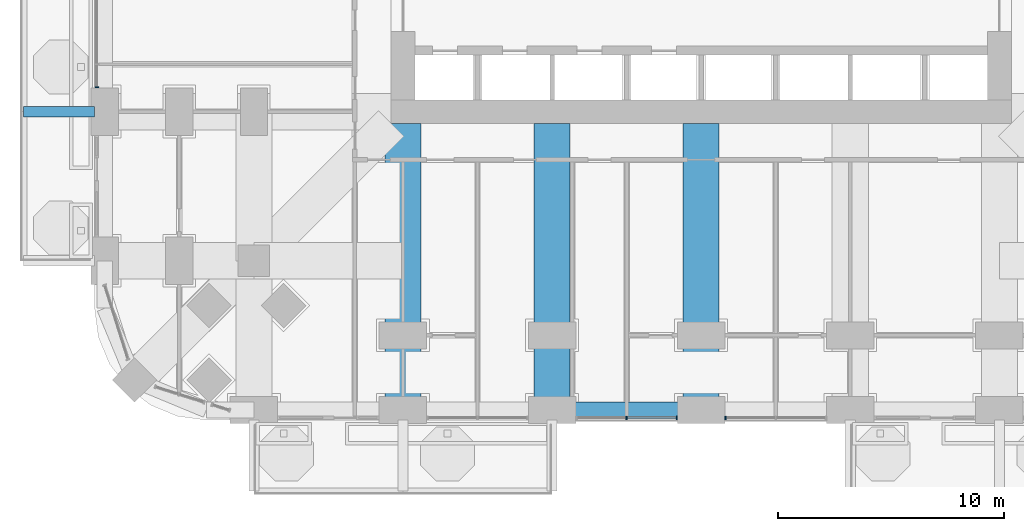
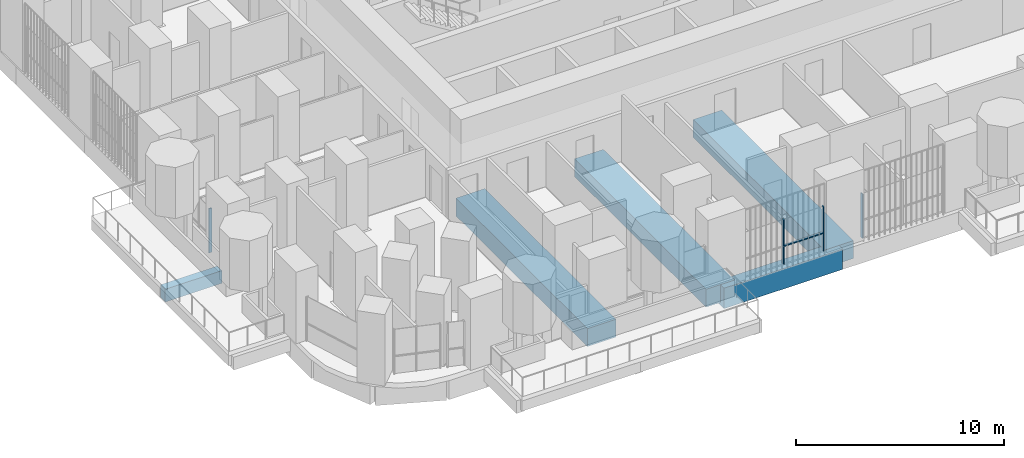
# One storey, part 3 of 27: 5 beams, 5 members, 3 elements without a shape of their own.
"""IFC4 building model written with IfcOpenShell, lengths in metres."""

from ifc_helpers import new_model, si_unit, direction, frame, origin, origin_2d, place, context, subcontext, project, spatial, rectangle, extrude, material, material_profile, profile_set, type_object, element, aggregate, save


model = new_model("IFC4")

# Units and contexts
model_context = context("Model", 3, precision=1e-05, world=origin(), true_north=direction((0.0, 1.0)))
body_context = subcontext(model_context, "Body", "Model", "MODEL_VIEW")
ifc_project = project(units=[si_unit("LENGTHUNIT", "METRE"), si_unit("AREAUNIT", "SQUARE_METRE"), si_unit("VOLUMEUNIT", "CUBIC_METRE"), si_unit("PLANEANGLEUNIT", "RADIAN"), si_unit("MASSUNIT", "GRAM", prefix="KILO")], contexts=[model_context])

# Site, building, storey
site_placement = place(None, origin())
site = spatial("IfcSite", under=ifc_project, at=site_placement, CompositionType="ELEMENT")
building_placement = place(site_placement, origin())
building = spatial("IfcBuilding", under=site, at=building_placement, Name="Cobogo Forest Laboratory Tower", CompositionType="ELEMENT")
storey_placement = place(building_placement, frame((0.0, 0.0, 63.300048828125)))
storey = spatial("IfcBuildingStorey", under=building, at=storey_placement, Name="L14", CompositionType="ELEMENT", Elevation=63.300048828125)

# Beams
ifc_material_1 = material(Name="Concrete HA-40 (C40/50)", Category="concrete")
ifc_material_profile_1 = material_profile(ifc_material_1, rectangle(XDim=0.449951171875, YDim=0.75, at=origin_2d()), Name="RC 450x750")
ifc_profile_set_1 = profile_set([ifc_material_profile_1], Name="Concrete HA-40 (C40/50)")
beam_type_1 = type_object("IfcBeamType", Name="Balcony cantilever beam 450x750", PredefinedType="BEAM", material=ifc_profile_set_1)
beam_1_placement = place(storey_placement, frame((-0.449951171875, 13.199951171875, -0.625), z_axis=(-1.0, 0.0, 0.0), x_axis=(0.0, -1.0, 0.0)))
element("IfcBeam", 1, at=beam_1_placement, inside=storey, type_object=beam_type_1, Name="CB1 BAL-W1-C2 L14", PredefinedType="BEAM", context=body_context, shape_type="SweptSolid", body=[
    extrude(rectangle(XDim=0.449951171875, YDim=0.75, at=origin_2d()), origin(), (0.0, 0.0, 1.0), 3.150146484375),
])
ifc_material_2 = material(Name="Concrete HA-50 (C50/60)", Category="concrete")
ifc_material_profile_2 = material_profile(ifc_material_2, rectangle(XDim=1.60009765625, YDim=1.050048828125, at=origin_2d()), Name="RC 1600x1050")
ifc_profile_set_2 = profile_set([ifc_material_profile_2], Name="Concrete HA-50 (C50/60)")
beam_type_2 = type_object("IfcBeamType", Name="Laboratory floor wide beam 1600x1050", PredefinedType="BEAM", material=ifc_profile_set_2)
for number, where, z_axis, x_axis, name in (
    (2, (13.199951171875, 12.675048828125, -0.824951171875), (0.0, -1.0, 0.0), (1.0, 0.0, 0.0), "RB8 R-3-S L14"),
    (3, (19.800048828125, 12.675048828125, -0.824951171875), (0.0, -1.0, 0.0), (1.0, 0.0, 0.0), "RB8 R-4-S L14"),
    (4, (26.39990234375, 12.675048828125, -0.824951171875), (0.0, -1.0, 0.0), (1.0, 0.0, 0.0), "RB8 R-5-S L14"),
):
    element("IfcBeam", number, at=place(storey_placement, frame(where, z_axis=z_axis, x_axis=x_axis)), inside=storey, type_object=beam_type_2, Name=name, PredefinedType="BEAM", context=body_context, shape_type="SweptSolid", body=[
        extrude(rectangle(XDim=1.60009765625, YDim=1.050048828125, at=origin_2d()), origin(), (0.0, 0.0, 1.0), 12.675048828125),
    ])

# Curtain wall, members
ifc_material_3 = material(Name="Aluminium curtain wall", Category="aluminium")
curtain_wall_type = type_object("IfcCurtainWallType", Name="CW-1 unitised curtain wall, clear glazing, laboratory floors zones A and B", PredefinedType="USERDEFINED", material=ifc_material_3)
curtain_wall_1_placement = place(storey_placement, origin())
curtain_wall_1 = element("IfcCurtainWall", 5, at=curtain_wall_1_placement, inside=storey, type_object=curtain_wall_type, Name="Curtain wall 03 L14", ObjectType="UNITISED CURTAIN WALL", PredefinedType="USERDEFINED")
ifc_material_4 = material(Name="Aluminium mullion", Category="aluminium")
ifc_material_profile_3 = material_profile(ifc_material_4, rectangle(XDim=0.06005859375, YDim=0.159912109375, at=origin_2d()), Name="AL 60x160")
ifc_profile_set_3 = profile_set([ifc_material_profile_3], Name="Aluminium mullion")
member_type_1 = type_object("IfcMemberType", Name="MU-1 aluminium mullion 60x160", PredefinedType="MULLION", material=ifc_profile_set_3)
member_1_placement = place(storey_placement, frame((23.10009765625, -0.35009765625, 0.0), z_axis=(0.0, 0.0, 1.0), x_axis=(1.0, 0.0, 0.0)))
member_1 = element("IfcMember", 6, at=member_1_placement, type_object=member_type_1, Name="CW-1 mullion 2", PredefinedType="MULLION", context=body_context, shape_type="SweptSolid", body=[
    extrude(rectangle(XDim=0.06005859375, YDim=0.159912109375, at=origin_2d()), origin(), (0.0, 0.0, 1.0), 2.599853515625),
])
member_2_placement = place(storey_placement, frame((25.320068359375, -0.35009765625, 0.0), z_axis=(0.0, 0.0, 1.0), x_axis=(1.0, 0.0, 0.0)))
member_2 = element("IfcMember", 7, at=member_2_placement, type_object=member_type_1, Name="CW-1 mullion 3", PredefinedType="MULLION", context=body_context, shape_type="SweptSolid", body=[
    extrude(rectangle(XDim=0.06005859375, YDim=0.159912109375, at=origin_2d()), origin(), (0.0, 0.0, 1.0), 2.599853515625),
])

# Curtain wall, member
curtain_wall_2_placement = place(storey_placement, origin())
curtain_wall_2 = element("IfcCurtainWall", 8, at=curtain_wall_2_placement, inside=storey, type_object=curtain_wall_type, Name="Curtain wall 04 L14", ObjectType="UNITISED CURTAIN WALL", PredefinedType="USERDEFINED")
member_3_placement = place(storey_placement, frame((27.47998046875, -0.35009765625, 0.0), z_axis=(0.0, 0.0, 1.0), x_axis=(1.0, 0.0, 0.0)))
member_3 = element("IfcMember", 9, at=member_3_placement, type_object=member_type_1, Name="CW-1 mullion 1", PredefinedType="MULLION", context=body_context, shape_type="SweptSolid", body=[
    extrude(rectangle(XDim=0.06005859375, YDim=0.159912109375, at=origin_2d()), origin(), (0.0, 0.0, 1.0), 2.599853515625),
])
aggregate(curtain_wall_2, [member_3])

curtain_wall_3_placement = place(storey_placement, origin())
curtain_wall_3 = element("IfcCurtainWall", 10, at=curtain_wall_3_placement, inside=storey, type_object=curtain_wall_type, Name="Curtain wall 30 L14", ObjectType="UNITISED CURTAIN WALL", PredefinedType="USERDEFINED")
member_4_placement = place(storey_placement, frame((-0.35009765625, 14.280029296875, 0.0), z_axis=(0.0, 0.0, 1.0), x_axis=(0.0, -1.0, 0.0)))
member_4 = element("IfcMember", 11, at=member_4_placement, type_object=member_type_1, Name="CW-1 mullion 3", PredefinedType="MULLION", context=body_context, shape_type="SweptSolid", body=[
    extrude(rectangle(XDim=0.06005859375, YDim=0.159912109375, at=origin_2d()), origin(), (0.0, 0.0, 1.0), 2.599853515625),
])
aggregate(curtain_wall_3, [member_4])

# Beam
ifc_material_profile_4 = material_profile(ifc_material_1, rectangle(XDim=0.699951171875, YDim=1.199951171875, at=origin_2d()), Name="RC 700x1200")
ifc_profile_set_4 = profile_set([ifc_material_profile_4], Name="Concrete HA-40 (C40/50)")
beam_type_3 = type_object("IfcBeamType", Name="Perimeter edge beam 700x1200", PredefinedType="BEAM", material=ifc_profile_set_4)
beam_2_placement = place(storey_placement, frame((19.800048828125, 0.0, -0.900146484375), z_axis=(1.0, 0.0, 0.0), x_axis=(0.0, 1.0, 0.0)))
element("IfcBeam", 12, at=beam_2_placement, inside=storey, type_object=beam_type_3, Name="EB1 E-S3 L14", PredefinedType="BEAM", context=body_context, shape_type="SweptSolid", body=[
    extrude(rectangle(XDim=0.699951171875, YDim=1.199951171875, at=origin_2d()), origin(), (0.0, 0.0, 1.0), 6.599853515625),
])

# Member
ifc_material_5 = material(Name="Aluminium transom", Category="aluminium")
ifc_material_profile_5 = material_profile(ifc_material_5, rectangle(XDim=0.1201171875, YDim=0.06005859375, at=origin_2d()), Name="AL 60x120")
ifc_profile_set_5 = profile_set([ifc_material_profile_5], Name="Aluminium transom")
member_type_2 = type_object("IfcMemberType", Name="TR-1 aluminium transom 60x120", PredefinedType="USERDEFINED", material=ifc_profile_set_5)
member_5_placement = place(storey_placement, frame((23.1298828125, -0.35009765625, 1.050048828125), z_axis=(1.0, 0.0, 0.0), x_axis=(0.0, 1.0, 0.0)))
member_5 = element("IfcMember", 13, at=member_5_placement, type_object=member_type_2, Name="CW-1 transom 2.1", ObjectType="TRANSOM", PredefinedType="USERDEFINED", context=body_context, shape_type="SweptSolid", body=[
    extrude(rectangle(XDim=0.1201171875, YDim=0.06005859375, at=origin_2d()), origin(), (0.0, 0.0, 1.0), 2.16015625),
])

aggregate(curtain_wall_1, [member_1, member_2, member_5])

save(model, "model.ifc")
